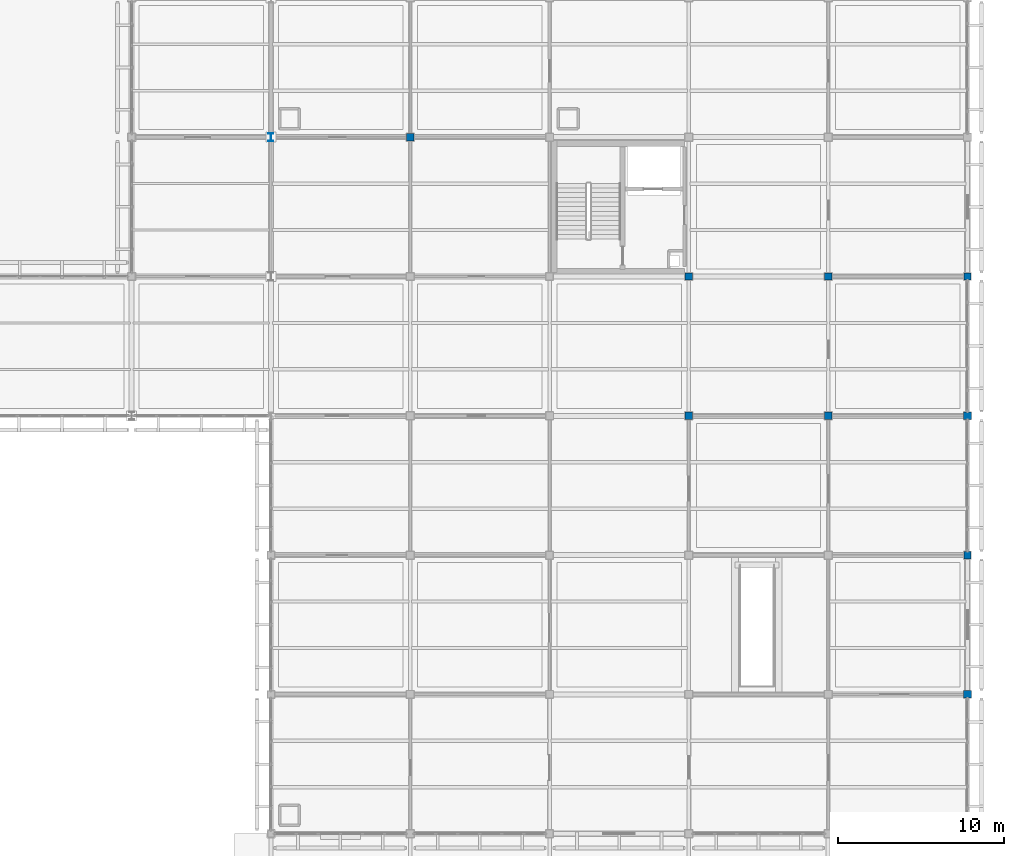
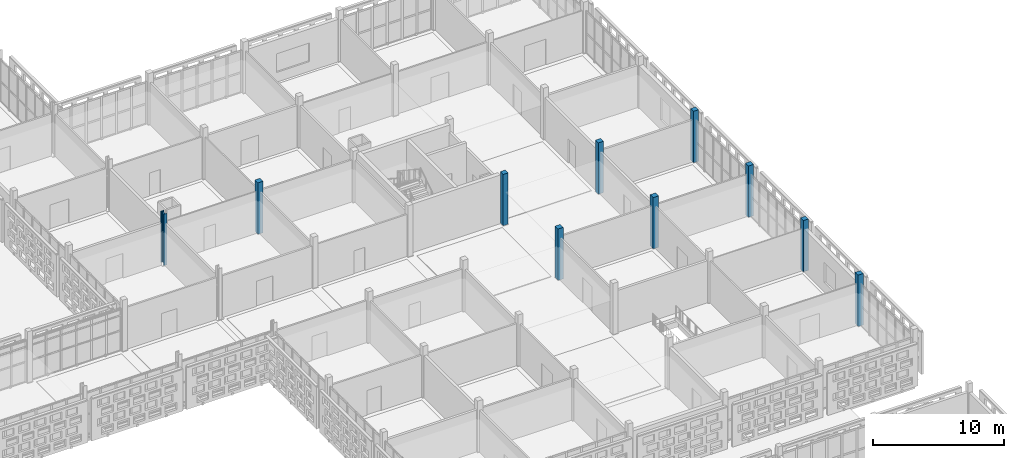
# One storey, part 13 of 203: 10 columns.
"""IFC4 building model written with IfcOpenShell, lengths in metres."""

from ifc_helpers import new_model, si_unit, direction, frame, origin, origin_2d, place, context, subcontext, project, spatial, rectangle, i_section, extrude, material, material_profile, profile_set, type_object, element, save


model = new_model("IFC4")

# Units and contexts
model_context = context("Model", 3, precision=1e-05, world=origin(), true_north=direction((0.0, 1.0)))
body_context = subcontext(model_context, "Body", "Model", "MODEL_VIEW")
ifc_project = project(units=[si_unit("LENGTHUNIT", "METRE"), si_unit("AREAUNIT", "SQUARE_METRE"), si_unit("VOLUMEUNIT", "CUBIC_METRE"), si_unit("PLANEANGLEUNIT", "RADIAN"), si_unit("MASSUNIT", "GRAM", prefix="KILO")], contexts=[model_context])

# Site, building, storey
site_placement = place(None, origin())
site = spatial("IfcSite", under=ifc_project, at=site_placement, CompositionType="ELEMENT")
building_placement = place(site_placement, origin())
building = spatial("IfcBuilding", under=site, at=building_placement, Name="Varnapada Polytechnic", CompositionType="ELEMENT")
storey_placement = place(building_placement, frame((0.0, 0.0, 4.800048828125)))
storey = spatial("IfcBuildingStorey", under=building, at=storey_placement, Name="L01", CompositionType="ELEMENT", Elevation=4.800048828125)

# Columns
ifc_material_1 = material(Name="Steel S355", Category="steel")
ifc_material_profile_1 = material_profile(ifc_material_1, i_section(OverallWidth=0.300048828125, OverallDepth=0.5, WebThickness=0.014404296875, FlangeThickness=0.028076171875, FilletRadius=0.027099609375, at=origin_2d()), Name="HEB 500")
ifc_profile_set_1 = profile_set([ifc_material_profile_1], Name="Steel S355")
column_type_1 = type_object("IfcColumnType", Name="Column C-06 (HEB 500)", PredefinedType="COLUMN", material=ifc_profile_set_1)
column_placement = place(storey_placement, frame((134.39990234375, 100.800048828125, 0.0), z_axis=(0.0, 0.0, 1.0), x_axis=(1.0, 0.0, 0.0)))
element("IfcColumn", 1, at=column_placement, inside=storey, type_object=column_type_1, Name="L01 column 17/13", PredefinedType="COLUMN", context=body_context, shape_type="SweptSolid", body=[
    extrude(i_section(OverallWidth=0.300048828125, OverallDepth=0.5, WebThickness=0.014404296875, FlangeThickness=0.028076171875, FilletRadius=0.027099609375, at=origin_2d()), origin(), (0.0, 0.0, 1.0), 4.800048828125),
])
ifc_material_2 = material(Name="Glulam GL32h", Category="wood")
ifc_material_profile_2 = material_profile(ifc_material_2, rectangle(XDim=0.4599609375, YDim=0.4599609375, at=origin_2d()), Name="GL 460x460")
ifc_profile_set_2 = profile_set([ifc_material_profile_2], Name="Glulam GL32h")
column_type_2 = type_object("IfcColumnType", Name="Column C-12 (GL 460x460)", PredefinedType="COLUMN", material=ifc_profile_set_2)
for number, where, z_axis, x_axis, name in (
    (2, (142.800048828125, 100.800048828125, 0.0), (0.0, 0.0, 1.0), (1.0, 0.0, 0.0), "L01 column 18/13"),
    (3, (159.60009765625, 84.0, 0.0), (0.0, 0.0, 1.0), (1.0, 0.0, 0.0), "L01 column 20/11"),
    (4, (168.0, 84.0, 0.0), (0.0, 0.0, 1.0), (1.0, 0.0, 0.0), "L01 column 21/11"),
    (5, (176.39990234375, 67.199951171875, 0.0), (0.0, 0.0, 1.0), (1.0, 0.0, 0.0), "L01 column 22/9"),
    (6, (176.39990234375, 84.0, 0.0), (0.0, 0.0, 1.0), (1.0, 0.0, 0.0), "L01 column 22/11"),
):
    element("IfcColumn", number, at=place(storey_placement, frame(where, z_axis=z_axis, x_axis=x_axis)), inside=storey, type_object=column_type_2, Name=name, PredefinedType="COLUMN", context=body_context, shape_type="SweptSolid", body=[
        extrude(rectangle(XDim=0.4599609375, YDim=0.4599609375, at=origin_2d()), origin(), (0.0, 0.0, 1.0), 4.800048828125),
    ])
ifc_material_profile_3 = material_profile(ifc_material_2, rectangle(XDim=0.43994140625, YDim=0.43994140625, at=origin_2d()), Name="GL 440x440")
ifc_profile_set_3 = profile_set([ifc_material_profile_3], Name="Glulam GL32h")
column_type_3 = type_object("IfcColumnType", Name="Column C-26 (GL 440x440)", PredefinedType="COLUMN", material=ifc_profile_set_3)
for number, where, z_axis, x_axis, name in (
    (7, (159.60009765625, 92.39990234375, 0.0), (0.0, 0.0, 1.0), (1.0, 0.0, 0.0), "L01 column 20/12"),
    (8, (168.0, 92.39990234375, 0.0), (0.0, 0.0, 1.0), (1.0, 0.0, 0.0), "L01 column 21/12"),
    (9, (176.39990234375, 75.60009765625, 0.0), (0.0, 0.0, 1.0), (1.0, 0.0, 0.0), "L01 column 22/10"),
    (10, (176.39990234375, 92.39990234375, 0.0), (0.0, 0.0, 1.0), (1.0, 0.0, 0.0), "L01 column 22/12"),
):
    element("IfcColumn", number, at=place(storey_placement, frame(where, z_axis=z_axis, x_axis=x_axis)), inside=storey, type_object=column_type_3, Name=name, PredefinedType="COLUMN", context=body_context, shape_type="SweptSolid", body=[
        extrude(rectangle(XDim=0.43994140625, YDim=0.43994140625, at=origin_2d()), origin(), (0.0, 0.0, 1.0), 4.800048828125),
    ])

save(model, "model.ifc")
